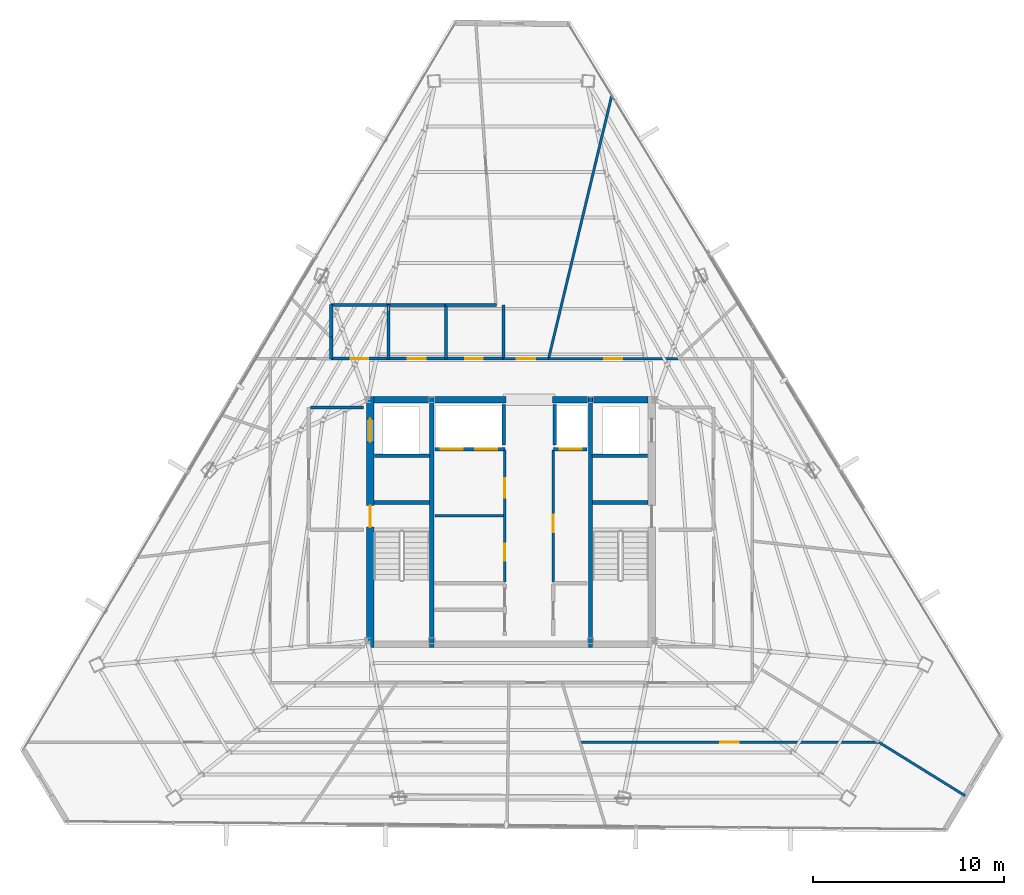
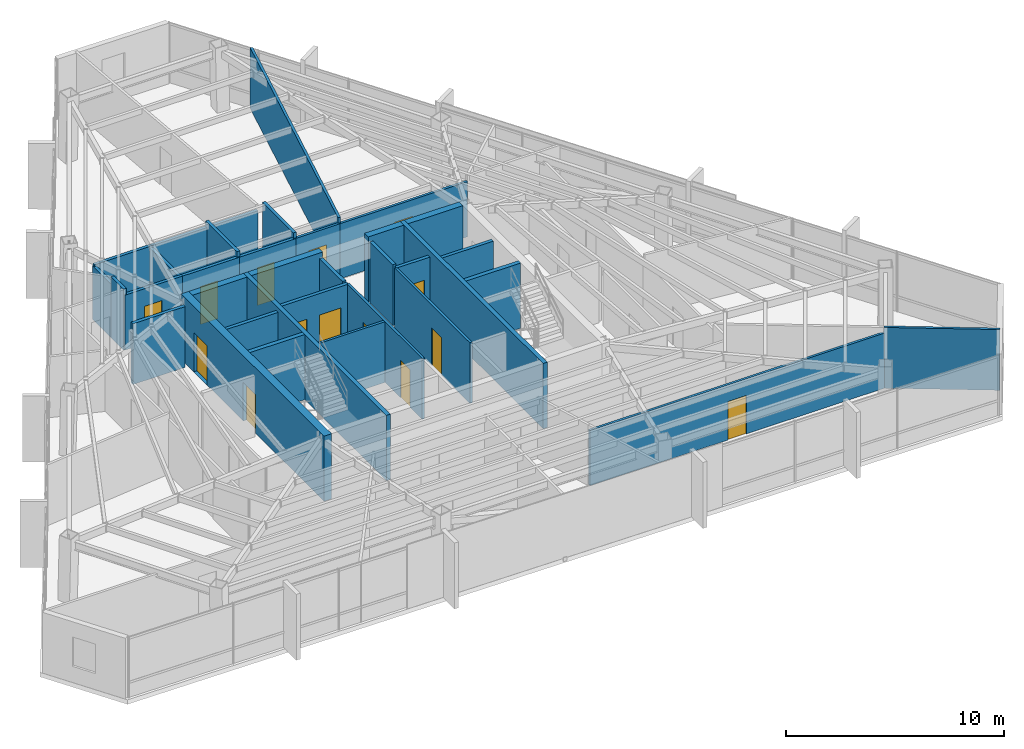
# One storey, part 43 of 47: 35 walls, 14 doors, 14 openings.
"""IFC4 building model written with IfcOpenShell, lengths in metres."""

from ifc_helpers import new_model, si_unit, direction, frame, frame_2d, origin, place, context, subcontext, project, spatial, rectangle, extrude, material, layer, layer_set, type_object, element, fill, save


model = new_model("IFC4")

# Units and contexts
model_context = context("Model", 3, precision=1e-05, world=origin(), true_north=direction((0.0, 1.0)))
body_context = subcontext(model_context, "Body", "Model", "MODEL_VIEW")
ifc_project = project(units=[si_unit("LENGTHUNIT", "METRE"), si_unit("AREAUNIT", "SQUARE_METRE"), si_unit("VOLUMEUNIT", "CUBIC_METRE"), si_unit("PLANEANGLEUNIT", "RADIAN"), si_unit("MASSUNIT", "GRAM", prefix="KILO")], contexts=[model_context])

# Site, building, storey
site_placement = place(None, origin())
site = spatial("IfcSite", under=ifc_project, at=site_placement, CompositionType="ELEMENT")
building_placement = place(site_placement, origin())
building = spatial("IfcBuilding", under=site, at=building_placement, Name="Caelisora Broadcast Tower", CompositionType="ELEMENT")
storey_placement = place(building_placement, frame((0.0, 0.0, 248.10009765625)))
storey = spatial("IfcBuildingStorey", under=building, at=storey_placement, Name="L65", CompositionType="ELEMENT", Elevation=248.10009765625)

# Wall, openings, doors
ifc_material_1 = material(Name="Concrete 40 MPa (AS 3600 N40)", Category="concrete")
ifc_layer_1 = layer(ifc_material_1, 0.39990234375, Name="Concrete 40 MPa (AS 3600 N40)")
ifc_layer_set_1 = layer_set([ifc_layer_1], Name="Concrete 40 MPa (AS 3600 N40)")
wall_type_1 = type_object("IfcWallType", Name="CW3", PredefinedType="SHEAR", material=ifc_layer_set_1)
wall_1_placement = place(storey_placement, frame((30.639892578125, 17.050048828125, 0.0), z_axis=(0.0, 0.0, 1.0), x_axis=(0.0, 1.0, 0.0)))
wall_1 = element("IfcWall", 1, at=wall_1_placement, inside=storey, type_object=wall_type_1, Name="L65 core shear wall CW3", PredefinedType="SHEAR", context=body_context, shape_type="SweptSolid", body=[
    extrude(rectangle(XDim=13.125, YDim=0.39990234375, at=frame_2d((6.5625, 0.0))), origin(), (0.0, 0.0, 1.0), 3.64990234375),
])
opening_1_placement = place(wall_1_placement, frame((6.300048828125, 0.0, 0.0)))
opening_1 = element("IfcOpeningElement", 2, at=opening_1_placement, cuts=wall_1, Name="Opening FD04", PredefinedType="OPENING", context=body_context, shape_type="SweptSolid", body=[
    extrude(rectangle(XDim=1.1201171875, YDim=2.14990234375, at=frame_2d((0.56005859375, 1.074951171875))), frame((0.0, 0.2119140625, 0.0), z_axis=(0.0, -1.0, 0.0), x_axis=(1.0, 0.0, 0.0)), (0.0, 0.0, 1.0), 0.423828125),
])
opening_2_placement = place(wall_1_placement, frame((10.75, 0.0, 0.0)))
opening_2 = element("IfcOpeningElement", 3, at=opening_2_placement, cuts=wall_1, Name="Opening LD04", PredefinedType="OPENING", context=body_context, shape_type="SweptSolid", body=[
    extrude(rectangle(XDim=1.199951171875, YDim=2.199951171875, at=frame_2d((0.60009765625, 1.10009765625))), frame((0.0, 0.2119140625, 0.0), z_axis=(0.0, -1.0, 0.0), x_axis=(1.0, 0.0, 0.0)), (0.0, 0.0, 1.0), 0.423828125),
])
ifc_material_2 = material(Name="Pressurised Fire-Isolated Stair Door", Category="steel")
door_type_1 = type_object("IfcDoorType", Name="FD04", OperationType="NOTDEFINED", PredefinedType="DOOR", material=ifc_material_2)
door_1_placement = place(opening_1_placement, origin())
door_1 = element("IfcDoor", 4, at=door_1_placement, inside=storey, type_object=door_type_1, Name="L65 door FD04 (L65-DR-ST1)", OperationType="SINGLE_SWING_LEFT", OverallHeight=2.14990234375, OverallWidth=1.1201171875, PredefinedType="DOOR", context=body_context, shape_type="SweptSolid", body=[
    extrude(rectangle(XDim=1.1201171875, YDim=2.14990234375, at=frame_2d((0.56005859375, 1.074951171875))), frame((0.0, 0.02490234375, 0.0), z_axis=(0.0, -1.0, 0.0), x_axis=(1.0, 0.0, 0.0)), (0.0, 0.0, 1.0), 0.050048828125),
])
fill(opening_1, door_1)
ifc_material_3 = material(Name="Emergency Firefighting Lift Sliding Landing Door", Category="steel")
door_type_2 = type_object("IfcDoorType", Name="LD04", OperationType="NOTDEFINED", PredefinedType="DOOR", material=ifc_material_3)
door_2_placement = place(opening_2_placement, origin())
door_2 = element("IfcDoor", 5, at=door_2_placement, inside=storey, type_object=door_type_2, Name="L65 door LD04 (L65-LD-FFL1)", OperationType="SLIDING_TO_LEFT", OverallHeight=2.199951171875, OverallWidth=1.199951171875, PredefinedType="DOOR", context=body_context, shape_type="SweptSolid", body=[
    extrude(rectangle(XDim=1.199951171875, YDim=2.199951171875, at=frame_2d((0.60009765625, 1.10009765625))), frame((0.0, 0.02490234375, 0.0), z_axis=(0.0, -1.0, 0.0), x_axis=(1.0, 0.0, 0.0)), (0.0, 0.0, 1.0), 0.050048828125),
])
fill(opening_2, door_2)

# Walls
ifc_layer_2 = layer(ifc_material_1, 0.35009765625, Name="Concrete 40 MPa (AS 3600 N40)")
ifc_layer_set_2 = layer_set([ifc_layer_2], Name="Concrete 40 MPa (AS 3600 N40)")
wall_type_2 = type_object("IfcWallType", Name="CW6", PredefinedType="SHEAR", material=ifc_layer_set_2)
wall_2_placement = place(storey_placement, frame((30.840087890625, 30.0, 0.0), z_axis=(0.0, 0.0, 1.0), x_axis=(1.0, 0.0, 0.0)))
element("IfcWall", 6, at=wall_2_placement, inside=storey, type_object=wall_type_2, Name="L65 core shear wall CW6", PredefinedType="SHEAR", context=body_context, shape_type="SweptSolid", body=[
    extrude(rectangle(XDim=2.89990234375, YDim=0.35009765625, at=frame_2d((1.449951171875, 0.0))), origin(), (0.0, 0.0, 1.0), 3.64990234375),
])
wall_3_placement = place(storey_placement, frame((33.9599609375, 30.0, 0.0), z_axis=(0.0, 0.0, 1.0), x_axis=(1.0, 0.0, 0.0)))
element("IfcWall", 7, at=wall_3_placement, inside=storey, type_object=wall_type_2, Name="L65 core shear wall CW6", PredefinedType="SHEAR", context=body_context, shape_type="SweptSolid", body=[
    extrude(rectangle(XDim=3.780029296875, YDim=0.35009765625, at=frame_2d((1.89013671875, 0.0))), origin(), (0.0, 0.0, 1.0), 3.64990234375),
])
wall_4_placement = place(storey_placement, frame((40.159912109375, 30.0, 0.0), z_axis=(0.0, 0.0, 1.0), x_axis=(1.0, 0.0, 0.0)))
element("IfcWall", 8, at=wall_4_placement, inside=storey, type_object=wall_type_2, Name="L65 core shear wall CW6", PredefinedType="SHEAR", context=body_context, shape_type="SweptSolid", body=[
    extrude(rectangle(XDim=1.880126953125, YDim=0.35009765625, at=frame_2d((0.93994140625, 0.0))), origin(), (0.0, 0.0, 1.0), 3.64990234375),
])
wall_5_placement = place(storey_placement, frame((42.260009765625, 30.0, 0.0), z_axis=(0.0, 0.0, 1.0), x_axis=(1.0, 0.0, 0.0)))
element("IfcWall", 9, at=wall_5_placement, inside=storey, type_object=wall_type_2, Name="L65 core shear wall CW6", PredefinedType="SHEAR", context=body_context, shape_type="SweptSolid", body=[
    extrude(rectangle(XDim=2.89990234375, YDim=0.35009765625, at=frame_2d((1.449951171875, 0.0))), origin(), (0.0, 0.0, 1.0), 3.64990234375),
])
ifc_material_4 = material(Name="Concrete 50 MPa (AS 3600 S50)", Category="concrete")
ifc_layer_3 = layer(ifc_material_4, 0.219970703125, Name="Concrete 50 MPa (AS 3600 S50)")
ifc_layer_set_3 = layer_set([ifc_layer_3], Name="Concrete 50 MPa (AS 3600 S50)")
wall_type_3 = type_object("IfcWallType", Name="CW7", PredefinedType="SHEAR", material=ifc_layer_set_3)
for number, where, z_axis, x_axis, name in (
    (10, (33.85009765625, 17.050048828125, 0.0), (0.0, 0.0, 1.0), (0.0, 1.0, 0.0), "L65 core shear wall CW7"),
    (11, (42.14990234375, 17.050048828125, 0.0), (0.0, 0.0, 1.0), (0.0, 1.0, 0.0), "L65 core shear wall CW7"),
):
    element("IfcWall", number, at=place(storey_placement, frame(where, z_axis=z_axis, x_axis=x_axis)), inside=storey, type_object=wall_type_3, Name=name, PredefinedType="SHEAR", context=body_context, shape_type="SweptSolid", body=[
        extrude(rectangle(XDim=13.125, YDim=0.219970703125, at=frame_2d((6.5625, 0.0))), origin(), (0.0, 0.0, 1.0), 3.64990234375),
    ])
for number, where, z_axis, x_axis, name in (
    (12, (30.840087890625, 24.639892578125, 0.0), (0.0, 0.0, 1.0), (1.0, 0.0, 0.0), "L65 core shear wall CW7"),
    (13, (42.260009765625, 24.639892578125, 0.0), (0.0, 0.0, 1.0), (1.0, 0.0, 0.0), "L65 core shear wall CW7"),
):
    element("IfcWall", number, at=place(storey_placement, frame(where, z_axis=z_axis, x_axis=x_axis)), inside=storey, type_object=wall_type_3, Name=name, PredefinedType="SHEAR", context=body_context, shape_type="SweptSolid", body=[
        extrude(rectangle(XDim=2.89990234375, YDim=0.219970703125, at=frame_2d((1.449951171875, 0.0))), origin(), (0.0, 0.0, 1.0), 3.64990234375),
    ])

# Wall, openings, doors
ifc_material_5 = material(Name="Fire-Rated Gypsum Shaft and Compartment Wall", Category="gypsum")
ifc_layer_4 = layer(ifc_material_5, 0.179931640625, Name="Fire-Rated Gypsum Shaft and Compartment Wall")
ifc_layer_set_4 = layer_set([ifc_layer_4], Name="Fire-Rated Gypsum Shaft and Compartment Wall")
wall_type_4 = type_object("IfcWallType", Name="PW2", PredefinedType="PARTITIONING", material=ifc_layer_set_4)
wall_6_placement = place(storey_placement, frame((34.02001953125, 27.419921875, 0.0), z_axis=(0.0, 0.0, 1.0), x_axis=(1.0, 0.0, 0.0)))
wall_6 = element("IfcWall", 14, at=wall_6_placement, inside=storey, type_object=wall_type_4, Name="L65 fire compartment wall PW2", PredefinedType="PARTITIONING", context=body_context, shape_type="SweptSolid", body=[
    extrude(rectangle(XDim=3.659912109375, YDim=0.179931640625, at=frame_2d((1.830078125, 0.0))), origin(), (0.0, 0.0, 1.0), 3.39990234375),
])
opening_3_placement = place(wall_6_placement, frame((0.300048828125, 0.0, 0.0)))
opening_3 = element("IfcOpeningElement", 15, at=opening_3_placement, cuts=wall_6, Name="Opening LD02", PredefinedType="OPENING", context=body_context, shape_type="SweptSolid", body=[
    extrude(rectangle(XDim=1.14990234375, YDim=2.199951171875, at=frame_2d((0.574951171875, 1.10009765625))), frame((0.0, 0.10205078125, 0.0), z_axis=(0.0, -1.0, 0.0), x_axis=(1.0, 0.0, 0.0)), (0.0, 0.0, 1.0), 0.203857421875),
])
opening_4_placement = place(wall_6_placement, frame((2.10009765625, 0.0, 0.0)))
opening_4 = element("IfcOpeningElement", 16, at=opening_4_placement, cuts=wall_6, Name="Opening LD02", PredefinedType="OPENING", context=body_context, shape_type="SweptSolid", body=[
    extrude(rectangle(XDim=1.14990234375, YDim=2.199951171875, at=frame_2d((0.574951171875, 1.10009765625))), frame((0.0, 0.10205078125, 0.0), z_axis=(0.0, -1.0, 0.0), x_axis=(1.0, 0.0, 0.0)), (0.0, 0.0, 1.0), 0.203857421875),
])
ifc_material_6 = material(Name="High-Speed Express Lift Sliding Landing Door", Category="steel")
door_type_3 = type_object("IfcDoorType", Name="LD02", OperationType="NOTDEFINED", PredefinedType="DOOR", material=ifc_material_6)
door_3_placement = place(opening_3_placement, origin())
door_3 = element("IfcDoor", 17, at=door_3_placement, inside=storey, type_object=door_type_3, Name="L65 door LD02 (L65-LD-PLH1)", OperationType="SLIDING_TO_RIGHT", OverallHeight=2.199951171875, OverallWidth=1.14990234375, PredefinedType="DOOR", context=body_context, shape_type="SweptSolid", body=[
    extrude(rectangle(XDim=1.14990234375, YDim=2.199951171875, at=frame_2d((0.574951171875, 1.10009765625))), frame((0.0, 0.02490234375, 0.0), z_axis=(0.0, -1.0, 0.0), x_axis=(1.0, 0.0, 0.0)), (0.0, 0.0, 1.0), 0.050048828125),
])
fill(opening_3, door_3)
door_4_placement = place(opening_4_placement, origin())
door_4 = element("IfcDoor", 18, at=door_4_placement, inside=storey, type_object=door_type_3, Name="L65 door LD02 (L65-LD-PLH2)", OperationType="SLIDING_TO_LEFT", OverallHeight=2.199951171875, OverallWidth=1.14990234375, PredefinedType="DOOR", context=body_context, shape_type="SweptSolid", body=[
    extrude(rectangle(XDim=1.14990234375, YDim=2.199951171875, at=frame_2d((0.574951171875, 1.10009765625))), frame((0.0, 0.02490234375, 0.0), z_axis=(0.0, -1.0, 0.0), x_axis=(1.0, 0.0, 0.0)), (0.0, 0.0, 1.0), 0.050048828125),
])
fill(opening_4, door_4)

# Wall, opening, door
wall_7_placement = place(storey_placement, frame((40.219970703125, 27.419921875, 0.0), z_axis=(0.0, 0.0, 1.0), x_axis=(1.0, 0.0, 0.0)))
wall_7 = element("IfcWall", 19, at=wall_7_placement, inside=storey, type_object=wall_type_4, Name="L65 fire compartment wall PW2", PredefinedType="PARTITIONING", context=body_context, shape_type="SweptSolid", body=[
    extrude(rectangle(XDim=1.760009765625, YDim=0.179931640625, at=frame_2d((0.8798828125, 0.0))), origin(), (0.0, 0.0, 1.0), 3.39990234375),
])
opening_5_placement = place(wall_7_placement, frame((0.320068359375, 0.0, 0.0)))
opening_5 = element("IfcOpeningElement", 20, at=opening_5_placement, cuts=wall_7, Name="Opening LD02", PredefinedType="OPENING", context=body_context, shape_type="SweptSolid", body=[
    extrude(rectangle(XDim=1.14990234375, YDim=2.199951171875, at=frame_2d((0.574951171875, 1.10009765625))), frame((0.0, 0.10205078125, 0.0), z_axis=(0.0, -1.0, 0.0), x_axis=(1.0, 0.0, 0.0)), (0.0, 0.0, 1.0), 0.203857421875),
])
door_5_placement = place(opening_5_placement, origin())
door_5 = element("IfcDoor", 21, at=door_5_placement, inside=storey, type_object=door_type_3, Name="L65 door LD02 (L65-LD-PLH3)", OperationType="SLIDING_TO_RIGHT", OverallHeight=2.199951171875, OverallWidth=1.14990234375, PredefinedType="DOOR", context=body_context, shape_type="SweptSolid", body=[
    extrude(rectangle(XDim=1.14990234375, YDim=2.199951171875, at=frame_2d((0.574951171875, 1.10009765625))), frame((0.0, 0.02490234375, 0.0), z_axis=(0.0, -1.0, 0.0), x_axis=(1.0, 0.0, 0.0)), (0.0, 0.0, 1.0), 0.050048828125),
])
fill(opening_5, door_5)

# Walls
for number, where, z_axis, x_axis, name in (
    (22, (37.6201171875, 27.639892578125, 0.0), (0.0, 0.0, 1.0), (0.0, 1.0, 0.0), "L65 fire compartment wall PW2"),
    (23, (40.280029296875, 27.639892578125, 0.0), (0.0, 0.0, 1.0), (0.0, 1.0, 0.0), "L65 fire compartment wall PW2"),
):
    element("IfcWall", number, at=place(storey_placement, frame(where, z_axis=z_axis, x_axis=x_axis)), inside=storey, type_object=wall_type_4, Name=name, PredefinedType="PARTITIONING", context=body_context, shape_type="SweptSolid", body=[
        extrude(rectangle(XDim=2.110107421875, YDim=0.179931640625, at=frame_2d((1.05517578125, 0.0))), origin(), (0.0, 0.0, 1.0), 3.39990234375),
    ])
wall_8_placement = place(storey_placement, frame((27.52001953125, 29.60009765625, 0.0), z_axis=(0.0, 0.0, 1.0), x_axis=(1.0, 0.0, 0.0)))
element("IfcWall", 24, at=wall_8_placement, inside=storey, type_object=wall_type_4, Name="L65 fire compartment wall PW2", PredefinedType="PARTITIONING", context=body_context, shape_type="SweptSolid", body=[
    extrude(rectangle(XDim=2.760009765625, YDim=0.179931640625, at=frame_2d((1.3798828125, 0.0))), origin(), (0.0, 0.0, 1.0), 3.39990234375),
])
for number, where, z_axis, x_axis, name in (
    (25, (30.860107421875, 27.070068359375, 0.0), (0.0, 0.0, 1.0), (1.0, 0.0, 0.0), "L65 fire compartment wall PW2"),
    (26, (42.239990234375, 27.070068359375, 0.0), (0.0, 0.0, 1.0), (1.0, 0.0, 0.0), "L65 fire compartment wall PW2"),
):
    element("IfcWall", number, at=place(storey_placement, frame(where, z_axis=z_axis, x_axis=x_axis)), inside=storey, type_object=wall_type_4, Name=name, PredefinedType="PARTITIONING", context=body_context, shape_type="SweptSolid", body=[
        extrude(rectangle(XDim=2.89990234375, YDim=0.179931640625, at=frame_2d((1.449951171875, 0.0))), origin(), (0.0, 0.0, 1.0), 3.39990234375),
    ])
ifc_material_7 = material(Name="Acoustic Steel-Stud Plasterboard Partition", Category="gypsum")
ifc_layer_5 = layer(ifc_material_7, 0.1298828125, Name="Acoustic Steel-Stud Plasterboard Partition")
ifc_layer_set_5 = layer_set([ifc_layer_5], Name="Acoustic Steel-Stud Plasterboard Partition")
wall_type_5 = type_object("IfcWallType", Name="PW3", PredefinedType="PARTITIONING", material=ifc_layer_set_5)
wall_9_placement = place(storey_placement, frame((34.02001953125, 23.949951171875, 0.0), z_axis=(0.0, 0.0, 1.0), x_axis=(1.0, 0.0, 0.0)))
element("IfcWall", 27, at=wall_9_placement, inside=storey, type_object=wall_type_5, Name="L65 internal partition PW3", PredefinedType="PARTITIONING", context=body_context, shape_type="SweptSolid", body=[
    extrude(rectangle(XDim=3.580078125, YDim=0.1298828125, at=frame_2d((1.7900390625, 0.0))), origin(), (0.0, 0.0, 1.0), 3.39990234375),
])

# Wall, openings, doors
wall_10_placement = place(storey_placement, frame((37.679931640625, 20.47998046875, 0.0), z_axis=(0.0, 0.0, 1.0), x_axis=(0.0, 1.0, 0.0)))
wall_10 = element("IfcWall", 28, at=wall_10_placement, inside=storey, type_object=wall_type_5, Name="L65 internal partition PW3", PredefinedType="PARTITIONING", context=body_context, shape_type="SweptSolid", body=[
    extrude(rectangle(XDim=6.89990234375, YDim=0.1298828125, at=frame_2d((3.449951171875, 0.0))), origin(), (0.0, 0.0, 1.0), 3.39990234375),
])
opening_6_placement = place(wall_10_placement, frame((1.10009765625, 0.0, 0.0)))
opening_6 = element("IfcOpeningElement", 29, at=opening_6_placement, cuts=wall_10, Name="Opening FD03", PredefinedType="OPENING", context=body_context, shape_type="SweptSolid", body=[
    extrude(rectangle(XDim=0.89990234375, YDim=2.10009765625, at=frame_2d((0.449951171875, 1.050048828125))), frame((0.0, 0.076904296875, 0.0), z_axis=(0.0, -1.0, 0.0), x_axis=(1.0, 0.0, 0.0)), (0.0, 0.0, 1.0), 0.15380859375),
])
opening_7_placement = place(wall_10_placement, frame((4.39990234375, 0.0, 0.0)))
opening_7 = element("IfcOpeningElement", 30, at=opening_7_placement, cuts=wall_10, Name="Opening D02", PredefinedType="OPENING", context=body_context, shape_type="SweptSolid", body=[
    extrude(rectangle(XDim=1.02001953125, YDim=2.14990234375, at=frame_2d((0.510009765625, 1.074951171875))), frame((0.0, 0.076904296875, 0.0), z_axis=(0.0, -1.0, 0.0), x_axis=(1.0, 0.0, 0.0)), (0.0, 0.0, 1.0), 0.15380859375),
])
ifc_material_8 = material(Name="Solid-Core Timber Archive Suite Door", Category="wood")
door_type_4 = type_object("IfcDoorType", Name="D02", OperationType="NOTDEFINED", PredefinedType="DOOR", material=ifc_material_8)
door_6_placement = place(opening_7_placement, origin())
door_6 = element("IfcDoor", 31, at=door_6_placement, inside=storey, type_object=door_type_4, Name="L65 door D02 (L65-DR-P12D2)", OperationType="SINGLE_SWING_LEFT", OverallHeight=2.14990234375, OverallWidth=1.02001953125, PredefinedType="DOOR", context=body_context, shape_type="SweptSolid", body=[
    extrude(rectangle(XDim=1.02001953125, YDim=2.14990234375, at=frame_2d((0.510009765625, 1.074951171875))), frame((0.0, 0.02490234375, 0.0), z_axis=(0.0, -1.0, 0.0), x_axis=(1.0, 0.0, 0.0)), (0.0, 0.0, 1.0), 0.050048828125),
])
fill(opening_7, door_6)
ifc_material_9 = material(Name="Single-Leaf Steel Riser Fire Access Door", Category="steel")
door_type_5 = type_object("IfcDoorType", Name="FD03", OperationType="NOTDEFINED", PredefinedType="DOOR", material=ifc_material_9)
door_7_placement = place(opening_6_placement, origin())
door_7 = element("IfcDoor", 32, at=door_7_placement, inside=storey, type_object=door_type_5, Name="L65 door FD03 (L65-DR-P12D1)", OperationType="SINGLE_SWING_RIGHT", OverallHeight=2.10009765625, OverallWidth=0.89990234375, PredefinedType="DOOR", context=body_context, shape_type="SweptSolid", body=[
    extrude(rectangle(XDim=0.89990234375, YDim=2.10009765625, at=frame_2d((0.449951171875, 1.050048828125))), frame((0.0, 0.02490234375, 0.0), z_axis=(0.0, -1.0, 0.0), x_axis=(1.0, 0.0, 0.0)), (0.0, 0.0, 1.0), 0.050048828125),
])
fill(opening_6, door_7)

# Wall, opening, door
wall_11_placement = place(storey_placement, frame((40.199951171875, 20.47998046875, 0.0), z_axis=(0.0, 0.0, 1.0), x_axis=(0.0, 1.0, 0.0)))
wall_11 = element("IfcWall", 33, at=wall_11_placement, inside=storey, type_object=wall_type_5, Name="L65 internal partition PW3", PredefinedType="PARTITIONING", context=body_context, shape_type="SweptSolid", body=[
    extrude(rectangle(XDim=6.89990234375, YDim=0.1298828125, at=frame_2d((3.449951171875, 0.0))), origin(), (0.0, 0.0, 1.0), 3.39990234375),
])
opening_8_placement = place(wall_11_placement, frame((2.60009765625, 0.0, 0.0)))
opening_8 = element("IfcOpeningElement", 34, at=opening_8_placement, cuts=wall_11, Name="Opening FD03", PredefinedType="OPENING", context=body_context, shape_type="SweptSolid", body=[
    extrude(rectangle(XDim=0.89990234375, YDim=2.10009765625, at=frame_2d((0.449951171875, 1.050048828125))), frame((0.0, 0.076904296875, 0.0), z_axis=(0.0, -1.0, 0.0), x_axis=(1.0, 0.0, 0.0)), (0.0, 0.0, 1.0), 0.15380859375),
])
door_8_placement = place(opening_8_placement, origin())
door_8 = element("IfcDoor", 35, at=door_8_placement, inside=storey, type_object=door_type_5, Name="L65 door FD03 (L65-DR-P13D1)", OperationType="SINGLE_SWING_RIGHT", OverallHeight=2.10009765625, OverallWidth=0.89990234375, PredefinedType="DOOR", context=body_context, shape_type="SweptSolid", body=[
    extrude(rectangle(XDim=0.89990234375, YDim=2.10009765625, at=frame_2d((0.449951171875, 1.050048828125))), frame((0.0, 0.02490234375, 0.0), z_axis=(0.0, -1.0, 0.0), x_axis=(1.0, 0.0, 0.0)), (0.0, 0.0, 1.0), 0.050048828125),
])
fill(opening_8, door_8)

wall_12_placement = place(storey_placement, frame((41.614990234375, 12.10009765625, 0.0), z_axis=(0.0, 0.0, 1.0), x_axis=(1.0, 0.0, 0.0)))
wall_12 = element("IfcWall", 36, at=wall_12_placement, inside=storey, type_object=wall_type_5, Name="L65 internal partition PW3", PredefinedType="PARTITIONING", context=body_context, shape_type="SweptSolid", body=[
    extrude(rectangle(XDim=15.610107421875, YDim=0.1298828125, at=frame_2d((7.80517578125, 0.0))), origin(), (0.0, 0.0, 1.0), 3.0849609375),
])
opening_9_placement = place(wall_12_placement, frame((7.324951171875, 0.0, 0.0)))
opening_9 = element("IfcOpeningElement", 37, at=opening_9_placement, cuts=wall_12, Name="Opening D01", PredefinedType="OPENING", context=body_context, shape_type="SweptSolid", body=[
    extrude(rectangle(XDim=0.9599609375, YDim=2.14990234375, at=frame_2d((0.47998046875, 1.074951171875))), frame((0.0, 0.076904296875, 0.0), z_axis=(0.0, -1.0, 0.0), x_axis=(1.0, 0.0, 0.0)), (0.0, 0.0, 1.0), 0.15380859375),
])
ifc_material_10 = material(Name="Solid-Core Timber Acoustic Office Door", Category="wood")
door_type_6 = type_object("IfcDoorType", Name="D01", OperationType="NOTDEFINED", PredefinedType="DOOR", material=ifc_material_10)
door_9_placement = place(opening_9_placement, origin())
door_9 = element("IfcDoor", 38, at=door_9_placement, inside=storey, type_object=door_type_6, Name="L65 door D01 (L65-DR-P29D1)", OperationType="SINGLE_SWING_RIGHT", OverallHeight=2.14990234375, OverallWidth=0.9599609375, PredefinedType="DOOR", context=body_context, shape_type="SweptSolid", body=[
    extrude(rectangle(XDim=0.9599609375, YDim=2.14990234375, at=frame_2d((0.47998046875, 1.074951171875))), frame((0.0, 0.02490234375, 0.0), z_axis=(0.0, -1.0, 0.0), x_axis=(1.0, 0.0, 0.0)), (0.0, 0.0, 1.0), 0.050048828125),
])
fill(opening_9, door_9)

# Wall
wall_13_placement = place(storey_placement, frame((39.9609375, 32.155029296875, 0.0), z_axis=(0.0, 0.0, 1.0), x_axis=(0.233500733083, 0.972356625755, 0.0)))
element("IfcWall", 39, at=wall_13_placement, inside=storey, type_object=wall_type_5, Name="L65 internal partition PW3", PredefinedType="PARTITIONING", context=body_context, shape_type="SweptSolid", body=[
    extrude(rectangle(XDim=14.163330078125, YDim=0.1298828125, at=frame_2d((7.08154296875, 0.0))), origin(), (0.0, 0.0, 1.0), 3.39990234375),
])

# Wall, opening, door
wall_14_placement = place(storey_placement, frame((39.965087890625, 32.14990234375, 0.0), z_axis=(0.0, 0.0, 1.0), x_axis=(1.0, 0.0, 0.0)))
wall_14 = element("IfcWall", 40, at=wall_14_placement, inside=storey, type_object=wall_type_5, Name="L65 internal partition PW3", PredefinedType="PARTITIONING", context=body_context, shape_type="SweptSolid", body=[
    extrude(rectangle(XDim=6.75, YDim=0.1298828125, at=frame_2d((3.375, 0.0))), origin(), (0.0, 0.0, 1.0), 3.0849609375),
])
opening_10_placement = place(wall_14_placement, frame((2.89501953125, 0.0, 0.0)))
opening_10 = element("IfcOpeningElement", 41, at=opening_10_placement, cuts=wall_14, Name="Opening D01", PredefinedType="OPENING", context=body_context, shape_type="SweptSolid", body=[
    extrude(rectangle(XDim=0.9599609375, YDim=2.14990234375, at=frame_2d((0.47998046875, 1.074951171875))), frame((0.0, 0.076904296875, 0.0), z_axis=(0.0, -1.0, 0.0), x_axis=(1.0, 0.0, 0.0)), (0.0, 0.0, 1.0), 0.15380859375),
])
door_10_placement = place(opening_10_placement, origin())
door_10 = element("IfcDoor", 42, at=door_10_placement, inside=storey, type_object=door_type_6, Name="L65 door D01 (L65-DR-P41D1)", OperationType="SINGLE_SWING_RIGHT", OverallHeight=2.14990234375, OverallWidth=0.9599609375, PredefinedType="DOOR", context=body_context, shape_type="SweptSolid", body=[
    extrude(rectangle(XDim=0.9599609375, YDim=2.14990234375, at=frame_2d((0.47998046875, 1.074951171875))), frame((0.0, 0.02490234375, 0.0), z_axis=(0.0, -1.0, 0.0), x_axis=(1.0, 0.0, 0.0)), (0.0, 0.0, 1.0), 0.050048828125),
])
fill(opening_10, door_10)

# Wall
wall_15_placement = place(storey_placement, frame((57.23388671875, 12.096923828125, 0.0), z_axis=(0.0, 0.0, 1.0), x_axis=(0.849618822844, -0.52739724674, 0.0)))
element("IfcWall", 43, at=wall_15_placement, inside=storey, type_object=wall_type_5, Name="L65 internal partition PW3", PredefinedType="PARTITIONING", context=body_context, shape_type="SweptSolid", body=[
    extrude(rectangle(XDim=5.30224609375, YDim=0.1298828125, at=frame_2d((2.651123046875, 0.0))), origin(), (0.0, 0.0, 1.0), 3.39990234375),
])

# Wall, opening, door
wall_16_placement = place(storey_placement, frame((37.60498046875, 32.14990234375, 0.0), z_axis=(0.0, 0.0, 1.0), x_axis=(1.0, 0.0, 0.0)))
wall_16 = element("IfcWall", 44, at=wall_16_placement, inside=storey, type_object=wall_type_5, Name="L65 internal partition PW3", PredefinedType="PARTITIONING", context=body_context, shape_type="SweptSolid", body=[
    extrude(rectangle(XDim=2.35009765625, YDim=0.1298828125, at=frame_2d((1.175048828125, 0.0))), origin(), (0.0, 0.0, 1.0), 3.0849609375),
])
opening_11_placement = place(wall_16_placement, frame((0.695068359375, 0.0, 0.0)))
opening_11 = element("IfcOpeningElement", 45, at=opening_11_placement, cuts=wall_16, Name="Opening D01", PredefinedType="OPENING", context=body_context, shape_type="SweptSolid", body=[
    extrude(rectangle(XDim=0.9599609375, YDim=2.14990234375, at=frame_2d((0.47998046875, 1.074951171875))), frame((0.0, 0.076904296875, 0.0), z_axis=(0.0, -1.0, 0.0), x_axis=(1.0, 0.0, 0.0)), (0.0, 0.0, 1.0), 0.15380859375),
])
door_11_placement = place(opening_11_placement, origin())
door_11 = element("IfcDoor", 46, at=door_11_placement, inside=storey, type_object=door_type_6, Name="L65 door D01 (L65-DR-P65D1)", OperationType="SINGLE_SWING_RIGHT", OverallHeight=2.14990234375, OverallWidth=0.9599609375, PredefinedType="DOOR", context=body_context, shape_type="SweptSolid", body=[
    extrude(rectangle(XDim=0.9599609375, YDim=2.14990234375, at=frame_2d((0.47998046875, 1.074951171875))), frame((0.0, 0.02490234375, 0.0), z_axis=(0.0, -1.0, 0.0), x_axis=(1.0, 0.0, 0.0)), (0.0, 0.0, 1.0), 0.050048828125),
])
fill(opening_11, door_11)

ifc_material_11 = material(Name="Moisture-Resistant Wet Plumbing Service Wall", Category="gypsum")
ifc_layer_6 = layer(ifc_material_11, 0.159912109375, Name="Moisture-Resistant Wet Plumbing Service Wall")
ifc_layer_set_6 = layer_set([ifc_layer_6], Name="Moisture-Resistant Wet Plumbing Service Wall")
wall_type_6 = type_object("IfcWallType", Name="PW4", PredefinedType="PLUMBINGWALL", material=ifc_layer_set_6)
wall_17_placement = place(storey_placement, frame((28.574951171875, 32.14990234375, 0.0), z_axis=(0.0, 0.0, 1.0), x_axis=(1.0, 0.0, 0.0)))
wall_17 = element("IfcWall", 47, at=wall_17_placement, inside=storey, type_object=wall_type_6, Name="L65 wet plumbing wall PW4", PredefinedType="PLUMBINGWALL", context=body_context, shape_type="SweptSolid", body=[
    extrude(rectangle(XDim=3.050048828125, YDim=0.159912109375, at=frame_2d((1.52490234375, 0.0))), origin(), (0.0, 0.0, 1.0), 3.0849609375),
])
opening_12_placement = place(wall_17_placement, frame((1.034912109375, 0.0, 0.0)))
opening_12 = element("IfcOpeningElement", 48, at=opening_12_placement, cuts=wall_17, Name="Opening D03", PredefinedType="OPENING", context=body_context, shape_type="SweptSolid", body=[
    extrude(rectangle(XDim=0.919921875, YDim=2.10009765625, at=frame_2d((0.4599609375, 1.050048828125))), frame((0.0, 0.092041015625, 0.0), z_axis=(0.0, -1.0, 0.0), x_axis=(1.0, 0.0, 0.0)), (0.0, 0.0, 1.0), 0.183837890625),
])
ifc_material_12 = material(Name="Laminate Moisture-Resistant Amenity WC Door", Category="wood")
door_type_7 = type_object("IfcDoorType", Name="D03", OperationType="NOTDEFINED", PredefinedType="DOOR", material=ifc_material_12)
door_12_placement = place(opening_12_placement, origin())
door_12 = element("IfcDoor", 49, at=door_12_placement, inside=storey, type_object=door_type_7, Name="L65 door D03 (L65-DR-P17D1)", OperationType="SINGLE_SWING_RIGHT", OverallHeight=2.10009765625, OverallWidth=0.919921875, PredefinedType="DOOR", context=body_context, shape_type="SweptSolid", body=[
    extrude(rectangle(XDim=0.919921875, YDim=2.10009765625, at=frame_2d((0.4599609375, 1.050048828125))), frame((0.0, 0.02490234375, 0.0), z_axis=(0.0, -1.0, 0.0), x_axis=(1.0, 0.0, 0.0)), (0.0, 0.0, 1.0), 0.050048828125),
])
fill(opening_12, door_12)

wall_18_placement = place(storey_placement, frame((31.574951171875, 32.14990234375, 0.0), z_axis=(0.0, 0.0, 1.0), x_axis=(1.0, 0.0, 0.0)))
wall_18 = element("IfcWall", 50, at=wall_18_placement, inside=storey, type_object=wall_type_6, Name="L65 wet plumbing wall PW4", PredefinedType="PLUMBINGWALL", context=body_context, shape_type="SweptSolid", body=[
    extrude(rectangle(XDim=3.050048828125, YDim=0.159912109375, at=frame_2d((1.52490234375, 0.0))), origin(), (0.0, 0.0, 1.0), 3.0849609375),
])
opening_13_placement = place(wall_18_placement, frame((1.034912109375, 0.0, 0.0)))
opening_13 = element("IfcOpeningElement", 51, at=opening_13_placement, cuts=wall_18, Name="Opening D03", PredefinedType="OPENING", context=body_context, shape_type="SweptSolid", body=[
    extrude(rectangle(XDim=0.919921875, YDim=2.10009765625, at=frame_2d((0.4599609375, 1.050048828125))), frame((0.0, 0.092041015625, 0.0), z_axis=(0.0, -1.0, 0.0), x_axis=(1.0, 0.0, 0.0)), (0.0, 0.0, 1.0), 0.183837890625),
])
door_13_placement = place(opening_13_placement, origin())
door_13 = element("IfcDoor", 52, at=door_13_placement, inside=storey, type_object=door_type_7, Name="L65 door D03 (L65-DR-P18D1)", OperationType="SINGLE_SWING_LEFT", OverallHeight=2.10009765625, OverallWidth=0.919921875, PredefinedType="DOOR", context=body_context, shape_type="SweptSolid", body=[
    extrude(rectangle(XDim=0.919921875, YDim=2.10009765625, at=frame_2d((0.4599609375, 1.050048828125))), frame((0.0, 0.02490234375, 0.0), z_axis=(0.0, -1.0, 0.0), x_axis=(1.0, 0.0, 0.0)), (0.0, 0.0, 1.0), 0.050048828125),
])
fill(opening_13, door_13)

wall_19_placement = place(storey_placement, frame((34.574951171875, 32.14990234375, 0.0), z_axis=(0.0, 0.0, 1.0), x_axis=(1.0, 0.0, 0.0)))
wall_19 = element("IfcWall", 53, at=wall_19_placement, inside=storey, type_object=wall_type_6, Name="L65 wet plumbing wall PW4", PredefinedType="PLUMBINGWALL", context=body_context, shape_type="SweptSolid", body=[
    extrude(rectangle(XDim=3.050048828125, YDim=0.159912109375, at=frame_2d((1.52490234375, 0.0))), origin(), (0.0, 0.0, 1.0), 3.0849609375),
])
opening_14_placement = place(wall_19_placement, frame((1.034912109375, 0.0, 0.0)))
opening_14 = element("IfcOpeningElement", 54, at=opening_14_placement, cuts=wall_19, Name="Opening D03", PredefinedType="OPENING", context=body_context, shape_type="SweptSolid", body=[
    extrude(rectangle(XDim=0.919921875, YDim=2.10009765625, at=frame_2d((0.4599609375, 1.050048828125))), frame((0.0, 0.092041015625, 0.0), z_axis=(0.0, -1.0, 0.0), x_axis=(1.0, 0.0, 0.0)), (0.0, 0.0, 1.0), 0.183837890625),
])
door_14_placement = place(opening_14_placement, origin())
door_14 = element("IfcDoor", 55, at=door_14_placement, inside=storey, type_object=door_type_7, Name="L65 door D03 (L65-DR-P19D1)", OperationType="SINGLE_SWING_RIGHT", OverallHeight=2.10009765625, OverallWidth=0.919921875, PredefinedType="DOOR", context=body_context, shape_type="SweptSolid", body=[
    extrude(rectangle(XDim=0.919921875, YDim=2.10009765625, at=frame_2d((0.4599609375, 1.050048828125))), frame((0.0, 0.02490234375, 0.0), z_axis=(0.0, -1.0, 0.0), x_axis=(1.0, 0.0, 0.0)), (0.0, 0.0, 1.0), 0.050048828125),
])
fill(opening_14, door_14)

# Walls
for number, where, z_axis, x_axis, name in (
    (56, (28.574951171875, 34.949951171875, 0.0), (0.0, 0.0, 1.0), (1.0, 0.0, 0.0), "L65 wet plumbing wall PW4"),
    (57, (31.574951171875, 34.949951171875, 0.0), (0.0, 0.0, 1.0), (1.0, 0.0, 0.0), "L65 wet plumbing wall PW4"),
):
    element("IfcWall", number, at=place(storey_placement, frame(where, z_axis=z_axis, x_axis=x_axis)), inside=storey, type_object=wall_type_6, Name=name, PredefinedType="PLUMBINGWALL", context=body_context, shape_type="SweptSolid", body=[
        extrude(rectangle(XDim=3.050048828125, YDim=0.159912109375, at=frame_2d((1.52490234375, 0.0))), origin(), (0.0, 0.0, 1.0), 3.0849609375),
    ])
wall_20_placement = place(storey_placement, frame((31.60009765625, 32.125, 0.0), z_axis=(0.0, 0.0, 1.0), x_axis=(0.0, 1.0, 0.0)))
element("IfcWall", 58, at=wall_20_placement, inside=storey, type_object=wall_type_6, Name="L65 wet plumbing wall PW4", PredefinedType="PLUMBINGWALL", context=body_context, shape_type="SweptSolid", body=[
    extrude(rectangle(XDim=2.85009765625, YDim=0.159912109375, at=frame_2d((1.425048828125, 0.0))), origin(), (0.0, 0.0, 1.0), 2.98486328125),
])
wall_21_placement = place(storey_placement, frame((34.60009765625, 32.125, 0.0), z_axis=(0.0, 0.0, 1.0), x_axis=(0.0, 1.0, 0.0)))
element("IfcWall", 59, at=wall_21_placement, inside=storey, type_object=wall_type_6, Name="L65 wet plumbing wall PW4", PredefinedType="PLUMBINGWALL", context=body_context, shape_type="SweptSolid", body=[
    extrude(rectangle(XDim=2.85009765625, YDim=0.159912109375, at=frame_2d((1.425048828125, 0.0))), origin(), (0.0, 0.0, 1.0), 3.39990234375),
])
wall_22_placement = place(storey_placement, frame((37.60009765625, 32.125, 0.0), z_axis=(0.0, 0.0, 1.0), x_axis=(0.0, 1.0, 0.0)))
element("IfcWall", 60, at=wall_22_placement, inside=storey, type_object=wall_type_6, Name="L65 wet plumbing wall PW4", PredefinedType="PLUMBINGWALL", context=body_context, shape_type="SweptSolid", body=[
    extrude(rectangle(XDim=2.8349609375, YDim=0.159912109375, at=frame_2d((1.41748046875, 0.0))), origin(), (0.0, 0.0, 1.0), 3.39990234375),
])
wall_23_placement = place(storey_placement, frame((34.574951171875, 34.949951171875, 0.0), z_axis=(0.0, 0.0, 1.0), x_axis=(1.0, 0.0, 0.0)))
element("IfcWall", 61, at=wall_23_placement, inside=storey, type_object=wall_type_6, Name="L65 wet plumbing wall PW4", PredefinedType="PLUMBINGWALL", context=body_context, shape_type="SweptSolid", body=[
    extrude(rectangle(XDim=2.66015625, YDim=0.159912109375, at=frame_2d((1.330078125, 0.0))), origin(), (0.0, 0.0, 1.0), 3.0849609375),
])
wall_24_placement = place(storey_placement, frame((28.60009765625, 33.22509765625, 0.0), z_axis=(0.0, 0.0, 1.0), x_axis=(0.0, 1.0, 0.0)))
element("IfcWall", 62, at=wall_24_placement, inside=storey, type_object=wall_type_6, Name="L65 wet plumbing wall PW4", PredefinedType="PLUMBINGWALL", context=body_context, shape_type="SweptSolid", body=[
    extrude(rectangle(XDim=1.75, YDim=0.159912109375, at=frame_2d((0.875, 0.0))), origin(), (0.0, 0.0, 1.0), 2.98486328125),
])
wall_25_placement = place(storey_placement, frame((28.60009765625, 32.125, 0.0), z_axis=(0.0, 0.0, 1.0), x_axis=(0.0, 1.0, 0.0)))
element("IfcWall", 63, at=wall_25_placement, inside=storey, type_object=wall_type_6, Name="L65 wet plumbing wall PW4", PredefinedType="PLUMBINGWALL", context=body_context, shape_type="SweptSolid", body=[
    extrude(rectangle(XDim=1.14990234375, YDim=0.159912109375, at=frame_2d((0.574951171875, 0.0))), origin(), (0.0, 0.0, 1.0), 3.39990234375),
])

save(model, "model.ifc")
